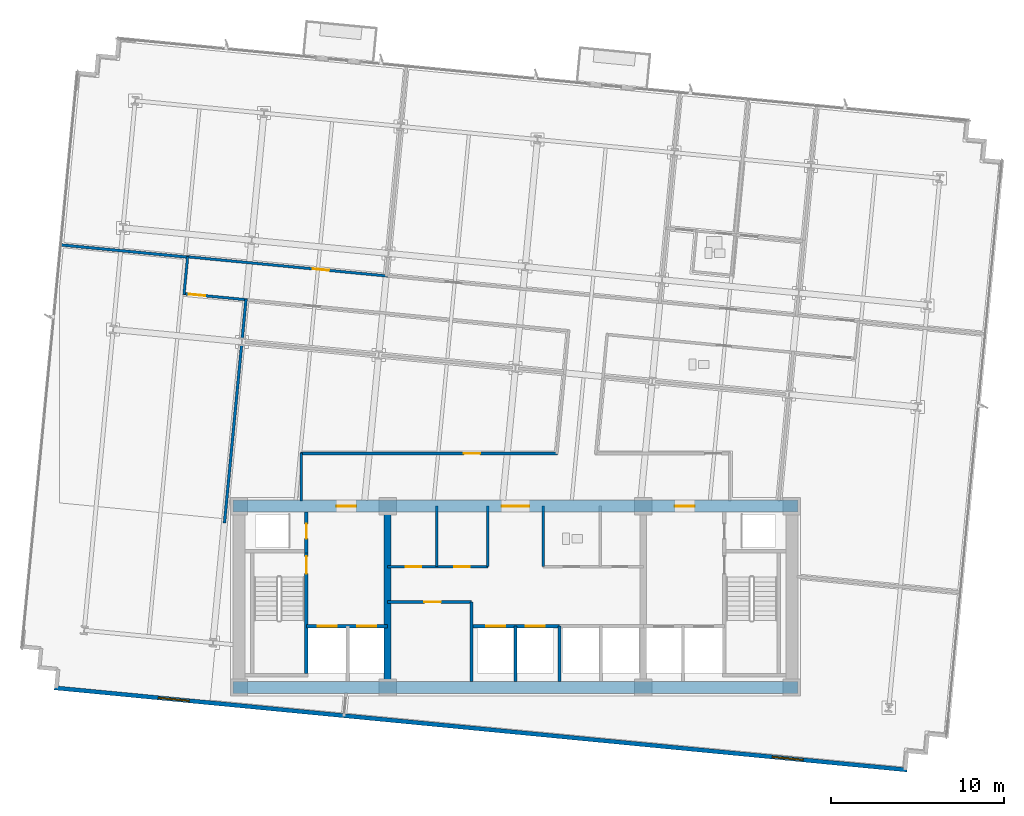
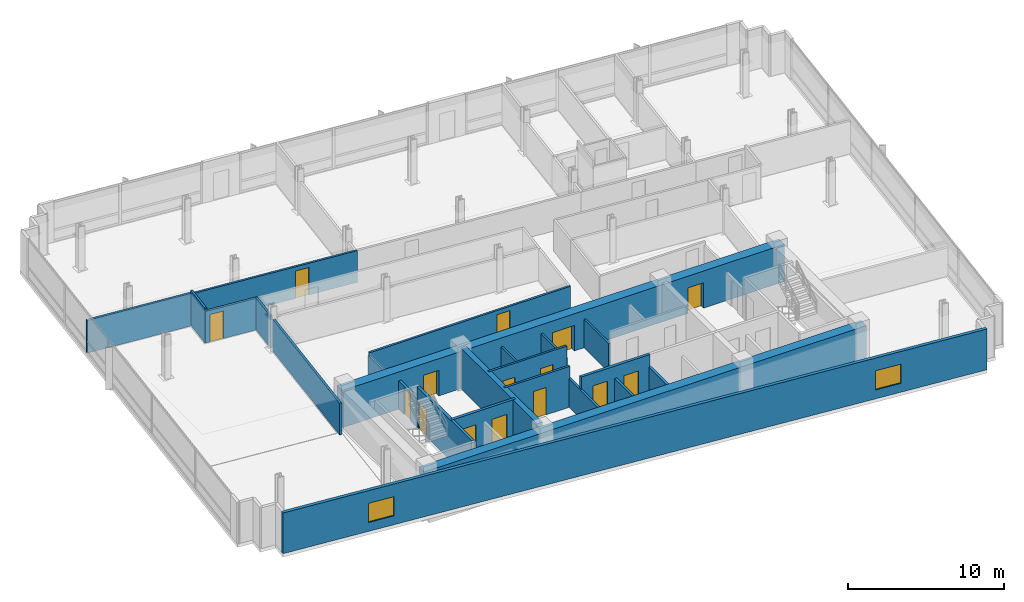
# One storey, part 10 of 16: 24 walls, 15 doors, 2 windows, 17 openings.
"""IFC4 building model written with IfcOpenShell, lengths in metres."""

from ifc_helpers import new_model, si_unit, direction, frame, frame_2d, origin, place, context, subcontext, project, spatial, rectangle, extrude, material, layer, layer_set, type_object, element, fill, save


model = new_model("IFC4")

# Units and contexts
model_context = context("Model", 3, precision=1e-05, world=origin(), true_north=direction((0.0, 1.0)))
body_context = subcontext(model_context, "Body", "Model", "MODEL_VIEW")
ifc_project = project(units=[si_unit("LENGTHUNIT", "METRE"), si_unit("AREAUNIT", "SQUARE_METRE"), si_unit("VOLUMEUNIT", "CUBIC_METRE"), si_unit("PLANEANGLEUNIT", "RADIAN"), si_unit("MASSUNIT", "GRAM", prefix="KILO")], contexts=[model_context])

# Site, building, storey
site_placement = place(None, origin())
site = spatial("IfcSite", under=ifc_project, at=site_placement, CompositionType="ELEMENT")
building_placement = place(site_placement, origin())
building = spatial("IfcBuilding", under=site, at=building_placement, Name="Solmavex Isthmus Hotel", CompositionType="ELEMENT")
storey_placement = place(building_placement, frame((0.0, 0.0, 160.050048828125)))
storey = spatial("IfcBuildingStorey", under=building, at=storey_placement, Name="L43", CompositionType="ELEMENT", Elevation=160.050048828125)

# Wall, openings, windows
ifc_material_1 = material(Name="Precast Concrete C40/50", Category="concrete")
ifc_layer_1 = layer(ifc_material_1, 0.25)
ifc_layer_set_1 = layer_set([ifc_layer_1], Name="Precast Concrete C40/50")
wall_type_1 = type_object("IfcWallType", Name="EW-TWR-250", PredefinedType="STANDARD", material=ifc_layer_set_1)
wall_1_placement = place(storey_placement, frame((-26.6953125, -13.01611328125, 0.0), z_axis=(0.0, 0.0, 1.0), x_axis=(0.995396268366, -0.095845025554, 0.0)))
wall_1 = element("IfcWall", 1, at=wall_1_placement, inside=storey, type_object=wall_type_1, Name="Tower Rear South Facade Wall L43", PredefinedType="STANDARD", context=body_context, shape_type="SweptSolid", body=[
    extrude(rectangle(XDim=49.599853515625, YDim=0.239990234375, at=frame_2d((24.7998046875, 0.0))), origin(), (0.0, 0.0, 1.0), 3.18994140625),
])
opening_1_placement = place(wall_1_placement, frame((6.0439453125, 0.0, 0.699951171875)))
opening_1 = element("IfcOpeningElement", 2, at=opening_1_placement, cuts=wall_1, Name="Opening WN-02", PredefinedType="OPENING", context=body_context, shape_type="SweptSolid", body=[
    extrude(rectangle(XDim=1.800048828125, YDim=1.5, at=frame_2d((0.89990234375, 0.75))), frame((0.0, 0.1298828125, 0.0), z_axis=(0.0, -1.0, 0.0), x_axis=(1.0, 0.0, 0.0)), (0.0, 0.0, 1.0), 0.260009765625),
])
opening_2_placement = place(wall_1_placement, frame((41.756103515625, 0.0, 0.699951171875)))
opening_2 = element("IfcOpeningElement", 3, at=opening_2_placement, cuts=wall_1, Name="Opening WN-02", PredefinedType="OPENING", context=body_context, shape_type="SweptSolid", body=[
    extrude(rectangle(XDim=1.800048828125, YDim=1.5, at=frame_2d((0.89990234375, 0.75))), frame((0.0, 0.1298828125, 0.0), z_axis=(0.0, -1.0, 0.0), x_axis=(1.0, 0.0, 0.0)), (0.0, 0.0, 1.0), 0.260009765625),
])
ifc_material_2 = material(Name="Clear low-E laminated glass", Category="glass")
window_type = type_object("IfcWindowType", Name="WIN-TWR-1800", PartitioningType="SINGLE_PANEL", PredefinedType="WINDOW", material=ifc_material_2)
window_1_placement = place(opening_1_placement, origin())
window_1 = element("IfcWindow", 4, at=window_1_placement, inside=storey, type_object=window_type, Name="South Facade Vision Window L43-S1", OverallHeight=1.5, OverallWidth=1.800048828125, PartitioningType="SINGLE_PANEL", PredefinedType="WINDOW", context=body_context, shape_type="SweptSolid", body=[
    extrude(rectangle(XDim=1.800048828125, YDim=1.5, at=frame_2d((0.89990234375, 0.75))), frame((0.0, 0.030029296875, 0.0), z_axis=(0.0, -1.0, 0.0), x_axis=(1.0, 0.0, 0.0)), (0.0, 0.0, 1.0), 0.06005859375),
])
fill(opening_1, window_1)
window_2_placement = place(opening_2_placement, origin())
window_2 = element("IfcWindow", 5, at=window_2_placement, inside=storey, type_object=window_type, Name="South Facade Vision Window L43-S2", OverallHeight=1.5, OverallWidth=1.800048828125, PartitioningType="SINGLE_PANEL", PredefinedType="WINDOW", context=body_context, shape_type="SweptSolid", body=[
    extrude(rectangle(XDim=1.800048828125, YDim=1.5, at=frame_2d((0.89990234375, 0.75))), frame((0.0, 0.030029296875, 0.0), z_axis=(0.0, -1.0, 0.0), x_axis=(1.0, 0.0, 0.0)), (0.0, 0.0, 1.0), 0.06005859375),
])
fill(opening_2, window_2)

# Wall, opening, door
ifc_material_3 = material(Name="Gypsum plasterboard lining", Category="gypsum")
ifc_layer_2 = layer(ifc_material_3, 0.159912109375)
ifc_layer_set_2 = layer_set([ifc_layer_2], Name="Gypsum plasterboard lining")
wall_type_2 = type_object("IfcWallType", Name="IW-COMP-160", PredefinedType="PARTITIONING", material=ifc_layer_set_2)
wall_2_placement = place(storey_placement, frame((-7.39990234375, -8.050048828125, 0.0), z_axis=(0.0, 0.0, 1.0), x_axis=(1.0, 0.0, 0.0)))
wall_2 = element("IfcWall", 6, at=wall_2_placement, inside=storey, type_object=wall_type_2, Name="Interior Partition Wall W-L43-REC-PLL-N", PredefinedType="PARTITIONING", context=body_context, shape_type="SweptSolid", body=[
    extrude(rectangle(XDim=4.849853515625, YDim=0.159912109375, at=frame_2d((2.4248046875, 0.0))), origin(), (0.0, 0.0, 1.0), 3.18994140625),
])
opening_3_placement = place(wall_2_placement, frame((2.125, 0.0, 0.0)))
opening_3 = element("IfcOpeningElement", 7, at=opening_3_placement, cuts=wall_2, Name="Opening ID-C095", PredefinedType="OPENING", context=body_context, shape_type="SweptSolid", body=[
    extrude(rectangle(XDim=0.949951171875, YDim=2.14990234375, at=frame_2d((0.47509765625, 1.074951171875))), frame((0.0, 0.08984375, 0.0), z_axis=(0.0, -1.0, 0.0), x_axis=(1.0, 0.0, 0.0)), (0.0, 0.0, 1.0), 0.179931640625),
])
ifc_material_4 = material(Name="Hardwood timber", Category="wood")
door_type_1 = type_object("IfcDoorType", Name="IDR-FD60-0950", OperationType="NOTDEFINED", PredefinedType="DOOR", material=ifc_material_4)
door_1_placement = place(opening_3_placement, origin())
door_1 = element("IfcDoor", 8, at=door_1_placement, inside=storey, type_object=door_type_1, Name="Linen Reserve Door L43", OperationType="SINGLE_SWING_LEFT", OverallHeight=2.14990234375, OverallWidth=0.949951171875, PredefinedType="DOOR", context=body_context, shape_type="SweptSolid", body=[
    extrude(rectangle(XDim=0.949951171875, YDim=2.14990234375, at=frame_2d((0.47509765625, 1.074951171875))), frame((0.0, 0.02490234375, 0.0), z_axis=(0.0, -1.0, 0.0), x_axis=(1.0, 0.0, 0.0)), (0.0, 0.0, 1.0), 0.050048828125),
])
fill(opening_3, door_1)

# Walls
wall_3_placement = place(storey_placement, frame((-2.550048828125, -12.64990234375, 0.0), z_axis=(0.0, 0.0, 1.0), x_axis=(0.0, 1.0, 0.0)))
element("IfcWall", 9, at=wall_3_placement, inside=storey, type_object=wall_type_2, Name="Interior Partition Wall W-L43-REC-PLL-E", PredefinedType="PARTITIONING", context=body_context, shape_type="SweptSolid", body=[
    extrude(rectangle(XDim=4.599853515625, YDim=0.159912109375, at=frame_2d((2.2998046875, 0.0))), origin(), (0.0, 0.0, 1.0), 2.224853515625),
])
wall_4_placement = place(storey_placement, frame((-18.942138671875, 11.91552734375, 0.0), z_axis=(0.0, 0.0, 1.0), x_axis=(-0.995395927026, 0.095848570461, 0.0)))
element("IfcWall", 10, at=wall_4_placement, inside=storey, type_object=wall_type_2, Name="Interior Partition Wall W-L43-P022", PredefinedType="PARTITIONING", context=body_context, shape_type="SweptSolid", body=[
    extrude(rectangle(XDim=7.44775390625, YDim=0.159912109375, at=frame_2d((3.723876953125, 0.0))), origin(), (0.0, 0.0, 1.0), 2.557373046875),
])
wall_5_placement = place(storey_placement, frame((-15.820556640625, 7.190673828125, 0.0), z_axis=(0.0, 0.0, 1.0), x_axis=(0.09580488871, 0.995400132258, 0.0)))
element("IfcWall", 11, at=wall_5_placement, inside=storey, type_object=wall_type_2, Name="Interior Partition Wall W-L43-P045", PredefinedType="PARTITIONING", context=body_context, shape_type="SweptSolid", body=[
    extrude(rectangle(XDim=2.31396484375, YDim=0.159912109375, at=frame_2d((1.156982421875, 0.0))), origin(), (0.0, 0.0, 1.0), 2.4794921875),
])
wall_6_placement = place(storey_placement, frame((-16.846923828125, -3.468017578125, 0.0), z_axis=(0.0, 0.0, 1.0), x_axis=(0.095854804219, 0.995395326746, 0.0)))
element("IfcWall", 12, at=wall_6_placement, inside=storey, type_object=wall_type_2, Name="Interior Partition Wall W-L43-P047", PredefinedType="PARTITIONING", context=body_context, shape_type="SweptSolid", body=[
    extrude(rectangle(XDim=10.35595703125, YDim=0.159912109375, at=frame_2d((5.177978515625, 0.0))), origin(), (0.0, 0.0, 1.0), 2.4794921875),
])

# Wall, openings, doors
ifc_layer_3 = layer(ifc_material_3, 0.14990234375)
ifc_layer_set_3 = layer_set([ifc_layer_3], Name="Gypsum plasterboard lining")
wall_type_3 = type_object("IfcWallType", Name="IW-CORR-150", PredefinedType="PARTITIONING", material=ifc_layer_set_3)
wall_7_placement = place(storey_placement, frame((-7.39990234375, -6.0, 0.0), z_axis=(0.0, 0.0, 1.0), x_axis=(1.0, 0.0, 0.0)))
wall_7 = element("IfcWall", 13, at=wall_7_placement, inside=storey, type_object=wall_type_3, Name="Interior Partition Wall W-L43-BOH-WS", PredefinedType="PARTITIONING", context=body_context, shape_type="SweptSolid", body=[
    extrude(rectangle(XDim=5.7998046875, YDim=0.14990234375, at=frame_2d((2.89990234375, 0.0))), origin(), (0.0, 0.0, 1.0), 3.18994140625),
])
opening_4_placement = place(wall_7_placement, frame((1.050048828125, 0.0, 0.0)))
opening_4 = element("IfcOpeningElement", 14, at=opening_4_placement, cuts=wall_7, Name="Opening ID-C090", PredefinedType="OPENING", context=body_context, shape_type="SweptSolid", body=[
    extrude(rectangle(XDim=0.89990234375, YDim=2.10009765625, at=frame_2d((0.449951171875, 1.050048828125))), frame((0.0, 0.0849609375, 0.0), z_axis=(0.0, -1.0, 0.0), x_axis=(1.0, 0.0, 0.0)), (0.0, 0.0, 1.0), 0.169921875),
])
opening_5_placement = place(wall_7_placement, frame((3.85009765625, 0.0, 0.0)))
opening_5 = element("IfcOpeningElement", 15, at=opening_5_placement, cuts=wall_7, Name="Opening ID-C090", PredefinedType="OPENING", context=body_context, shape_type="SweptSolid", body=[
    extrude(rectangle(XDim=0.89990234375, YDim=2.10009765625, at=frame_2d((0.449951171875, 1.050048828125))), frame((0.0, 0.0849609375, 0.0), z_axis=(0.0, -1.0, 0.0), x_axis=(1.0, 0.0, 0.0)), (0.0, 0.0, 1.0), 0.169921875),
])
door_type_2 = type_object("IfcDoorType", Name="IDR-FD60-0900", OperationType="NOTDEFINED", PredefinedType="DOOR", material=ifc_material_4)
door_2_placement = place(opening_4_placement, frame((0.89990234375, 0.0, 0.0), z_axis=(0.0, 0.0, 1.0), x_axis=(-1.0, 0.0, 0.0)))
door_2 = element("IfcDoor", 16, at=door_2_placement, inside=storey, type_object=door_type_2, Name="Linen Room Door L43", OperationType="SINGLE_SWING_LEFT", OverallHeight=2.10009765625, OverallWidth=0.89990234375, PredefinedType="DOOR", context=body_context, shape_type="SweptSolid", body=[
    extrude(rectangle(XDim=0.89990234375, YDim=2.10009765625, at=frame_2d((0.449951171875, 1.050048828125))), frame((0.0, 0.02490234375, 0.0), z_axis=(0.0, -1.0, 0.0), x_axis=(1.0, 0.0, 0.0)), (0.0, 0.0, 1.0), 0.050048828125),
])
fill(opening_4, door_2)
door_3_placement = place(opening_5_placement, frame((0.89990234375, 0.0, 0.0), z_axis=(0.0, 0.0, 1.0), x_axis=(-1.0, 0.0, 0.0)))
door_3 = element("IfcDoor", 17, at=door_3_placement, inside=storey, type_object=door_type_2, Name="Ice Pantry Door L43", OperationType="SINGLE_SWING_RIGHT", OverallHeight=2.10009765625, OverallWidth=0.89990234375, PredefinedType="DOOR", context=body_context, shape_type="SweptSolid", body=[
    extrude(rectangle(XDim=0.89990234375, YDim=2.10009765625, at=frame_2d((0.449951171875, 1.050048828125))), frame((0.0, 0.02490234375, 0.0), z_axis=(0.0, -1.0, 0.0), x_axis=(1.0, 0.0, 0.0)), (0.0, 0.0, 1.0), 0.050048828125),
])
fill(opening_5, door_3)

# Walls
for number, where, z_axis, x_axis, name in (
    (18, (-1.60009765625, -6.0, 0.0), (0.0, 0.0, 1.0), (0.0, 1.0, 0.0), "Interior Partition Wall W-L43-BOH-WE"),
    (19, (1.60009765625, -6.0, 0.0), (0.0, 0.0, 1.0), (0.0, 1.0, 0.0), "Interior Partition Wall W-L43-BOH-EW"),
):
    element("IfcWall", number, at=place(storey_placement, frame(where, z_axis=z_axis, x_axis=x_axis)), inside=storey, type_object=wall_type_3, Name=name, PredefinedType="PARTITIONING", context=body_context, shape_type="SweptSolid", body=[
        extrude(rectangle(XDim=3.5, YDim=0.14990234375, at=frame_2d((1.75, 0.0))), origin(), (0.0, 0.0, 1.0), 2.224853515625),
    ])

# Wall, opening, door
wall_8_placement = place(storey_placement, frame((-19.019775390625, 11.943115234375, 0.0), z_axis=(0.0, 0.0, 1.0), x_axis=(0.995395421372, -0.095853821582, 0.0)))
wall_8 = element("IfcWall", 20, at=wall_8_placement, inside=storey, type_object=wall_type_3, Name="Interior Partition Wall W-L43-P001", PredefinedType="PARTITIONING", context=body_context, shape_type="SweptSolid", body=[
    extrude(rectangle(XDim=11.677978515625, YDim=0.14990234375, at=frame_2d((5.8388671875, 0.0))), origin(), (0.0, 0.0, 1.0), 2.4794921875),
])
opening_6_placement = place(wall_8_placement, frame((7.3125, 0.0, 0.0)))
opening_6 = element("IfcOpeningElement", 21, at=opening_6_placement, cuts=wall_8, Name="Opening ID-C095", PredefinedType="OPENING", context=body_context, shape_type="SweptSolid", body=[
    extrude(rectangle(XDim=0.949951171875, YDim=2.14990234375, at=frame_2d((0.47509765625, 1.074951171875))), frame((0.0, 0.0849609375, 0.0), z_axis=(0.0, -1.0, 0.0), x_axis=(1.0, 0.0, 0.0)), (0.0, 0.0, 1.0), 0.169921875),
])
door_4_placement = place(opening_6_placement, frame((0.949951171875, 0.0, 0.0), z_axis=(0.0, 0.0, 1.0), x_axis=(-1.0, 0.0, 0.0)))
door_4 = element("IfcDoor", 22, at=door_4_placement, inside=storey, type_object=door_type_1, Name="Corporate Briefing Office Door L43-01", OperationType="SINGLE_SWING_LEFT", OverallHeight=2.14990234375, OverallWidth=0.949951171875, PredefinedType="DOOR", context=body_context, shape_type="SweptSolid", body=[
    extrude(rectangle(XDim=0.949951171875, YDim=2.14990234375, at=frame_2d((0.47509765625, 1.074951171875))), frame((0.0, 0.02490234375, 0.0), z_axis=(0.0, -1.0, 0.0), x_axis=(1.0, 0.0, 0.0)), (0.0, 0.0, 1.0), 0.050048828125),
])
fill(opening_6, door_4)

# Wall
wall_9_placement = place(storey_placement, frame((-12.39990234375, -2.18994140625, 0.0), z_axis=(0.0, 0.0, 1.0), x_axis=(0.0, 1.0, 0.0)))
element("IfcWall", 23, at=wall_9_placement, inside=storey, type_object=wall_type_3, Name="Interior Partition Wall W-L43-P012", PredefinedType="PARTITIONING", context=body_context, shape_type="SweptSolid", body=[
    extrude(rectangle(XDim=2.780029296875, YDim=0.14990234375, at=frame_2d((1.39013671875, 0.0))), origin(), (0.0, 0.0, 1.0), 2.224853515625),
])

# Wall, opening, door
wall_10_placement = place(storey_placement, frame((-12.43994140625, 0.550048828125, 0.0), z_axis=(0.0, 0.0, 1.0), x_axis=(1.0, 0.0, 0.0)))
wall_10 = element("IfcWall", 24, at=wall_10_placement, inside=storey, type_object=wall_type_3, Name="Interior Partition Wall W-L43-P013", PredefinedType="PARTITIONING", context=body_context, shape_type="SweptSolid", body=[
    extrude(rectangle(XDim=14.876708984375, YDim=0.14990234375, at=frame_2d((7.4384765625, 0.0))), origin(), (0.0, 0.0, 1.0), 2.4794921875),
])
opening_7_placement = place(wall_10_placement, frame((9.44921875, 0.0, 0.0)))
opening_7 = element("IfcOpeningElement", 25, at=opening_7_placement, cuts=wall_10, Name="Opening ID-C095", PredefinedType="OPENING", context=body_context, shape_type="SweptSolid", body=[
    extrude(rectangle(XDim=0.949951171875, YDim=2.14990234375, at=frame_2d((0.47509765625, 1.074951171875))), frame((0.0, 0.0849609375, 0.0), z_axis=(0.0, -1.0, 0.0), x_axis=(1.0, 0.0, 0.0)), (0.0, 0.0, 1.0), 0.169921875),
])
door_5_placement = place(opening_7_placement, frame((0.949951171875, 0.0, 0.0), z_axis=(0.0, 0.0, 1.0), x_axis=(-1.0, 0.0, 0.0)))
door_5 = element("IfcDoor", 26, at=door_5_placement, inside=storey, type_object=door_type_1, Name="Private Dining Room Door L43-11", OperationType="SINGLE_SWING_LEFT", OverallHeight=2.14990234375, OverallWidth=0.949951171875, PredefinedType="DOOR", context=body_context, shape_type="SweptSolid", body=[
    extrude(rectangle(XDim=0.949951171875, YDim=2.14990234375, at=frame_2d((0.47509765625, 1.074951171875))), frame((0.0, 0.02490234375, 0.0), z_axis=(0.0, -1.0, 0.0), x_axis=(1.0, 0.0, 0.0)), (0.0, 0.0, 1.0), 0.050048828125),
])
fill(opening_7, door_5)

wall_11_placement = place(storey_placement, frame((-15.52099609375, 9.4462890625, 0.0), z_axis=(0.0, 0.0, 1.0), x_axis=(-0.995397364202, 0.095833644092, 0.0)))
wall_11 = element("IfcWall", 27, at=wall_11_placement, inside=storey, type_object=wall_type_3, Name="Interior Partition Wall W-L43-P017", PredefinedType="PARTITIONING", context=body_context, shape_type="SweptSolid", body=[
    extrude(rectangle(XDim=3.721923828125, YDim=0.14990234375, at=frame_2d((1.86083984375, 0.0))), origin(), (0.0, 0.0, 1.0), 2.4794921875),
])
opening_8_placement = place(wall_11_placement, frame((2.456787109375, 0.0, 0.0)))
opening_8 = element("IfcOpeningElement", 28, at=opening_8_placement, cuts=wall_11, Name="Opening ID-C095", PredefinedType="OPENING", context=body_context, shape_type="SweptSolid", body=[
    extrude(rectangle(XDim=0.949951171875, YDim=2.14990234375, at=frame_2d((0.47509765625, 1.074951171875))), frame((0.0, 0.0849609375, 0.0), z_axis=(0.0, -1.0, 0.0), x_axis=(1.0, 0.0, 0.0)), (0.0, 0.0, 1.0), 0.169921875),
])
door_6_placement = place(opening_8_placement, frame((0.949951171875, 0.0, 0.0), z_axis=(0.0, 0.0, 1.0), x_axis=(-1.0, 0.0, 0.0)))
door_6 = element("IfcDoor", 29, at=door_6_placement, inside=storey, type_object=door_type_1, Name="Corporate Briefing Office Door L43-13", OperationType="SINGLE_SWING_LEFT", OverallHeight=2.14990234375, OverallWidth=0.949951171875, PredefinedType="DOOR", context=body_context, shape_type="SweptSolid", body=[
    extrude(rectangle(XDim=0.949951171875, YDim=2.14990234375, at=frame_2d((0.47509765625, 1.074951171875))), frame((0.0, 0.02490234375, 0.0), z_axis=(0.0, -1.0, 0.0), x_axis=(1.0, 0.0, 0.0)), (0.0, 0.0, 1.0), 0.050048828125),
])
fill(opening_8, door_6)

# Walls
wall_12_placement = place(storey_placement, frame((-19.18994140625, 9.75927734375, 0.0), z_axis=(0.0, 0.0, 1.0), x_axis=(0.095882898123, 0.995392620953, 0.0)))
element("IfcWall", 30, at=wall_12_placement, inside=storey, type_object=wall_type_3, Name="Interior Partition Wall W-L43-P018", PredefinedType="PARTITIONING", context=body_context, shape_type="SweptSolid", body=[
    extrude(rectangle(XDim=2.210205078125, YDim=0.14990234375, at=frame_2d((1.10498046875, 0.0))), origin(), (0.0, 0.0, 1.0), 2.718017578125),
])
ifc_layer_4 = layer(ifc_material_3, 0.1201171875)
ifc_layer_set_4 = layer_set([ifc_layer_4], Name="Gypsum plasterboard lining")
wall_type_4 = type_object("IfcWallType", Name="IW-PART-120", PredefinedType="PARTITIONING", material=ifc_layer_set_4)
wall_13_placement = place(storey_placement, frame((-4.550048828125, -6.0, 0.0), z_axis=(0.0, 0.0, 1.0), x_axis=(0.0, 1.0, 0.0)))
element("IfcWall", 31, at=wall_13_placement, inside=storey, type_object=wall_type_4, Name="Interior Partition Wall W-L43-BOH-WM2", PredefinedType="PARTITIONING", context=body_context, shape_type="SweptSolid", body=[
    extrude(rectangle(XDim=3.5, YDim=0.14990234375, at=frame_2d((1.75, 0.0))), origin(), (0.0, 0.0, 1.0), 2.224853515625),
])
ifc_material_5 = material(Name="Concrete C40/50", Category="concrete")
ifc_layer_5 = layer(ifc_material_5, 0.179931640625)
ifc_layer_set_5 = layer_set([ifc_layer_5], Name="Concrete C40/50")
wall_type_5 = type_object("IfcWallType", Name="IW-SHAFT-180", PredefinedType="PARTITIONING", material=ifc_layer_set_5)
wall_14_placement = place(storey_placement, frame((0.0, -12.64990234375, 0.0), z_axis=(0.0, 0.0, 1.0), x_axis=(0.0, 1.0, 0.0)))
element("IfcWall", 32, at=wall_14_placement, inside=storey, type_object=wall_type_5, Name="Interior Partition Wall W-L43-SH-PLM-M", PredefinedType="PARTITIONING", context=body_context, shape_type="SweptSolid", body=[
    extrude(rectangle(XDim=3.199951171875, YDim=0.179931640625, at=frame_2d((1.60009765625, 0.0))), origin(), (0.0, 0.0, 1.0), 2.224853515625),
])

# Wall, opening, door
ifc_layer_6 = layer(ifc_material_5, 0.199951171875)
ifc_layer_set_6 = layer_set([ifc_layer_6], Name="Concrete C40/50")
wall_type_6 = type_object("IfcWallType", Name="IW-SHAFT-200", PredefinedType="PARTITIONING", material=ifc_layer_set_6)
wall_15_placement = place(storey_placement, frame((-12.10009765625, -5.199951171875, 0.0), z_axis=(0.0, 0.0, 1.0), x_axis=(0.0, 1.0, 0.0)))
wall_15 = element("IfcWall", 33, at=wall_15_placement, inside=storey, type_object=wall_type_6, Name="Interior Partition Wall W-L43-RSW-E", PredefinedType="PARTITIONING", context=body_context, shape_type="SweptSolid", body=[
    extrude(rectangle(XDim=2.349853515625, YDim=0.199951171875, at=frame_2d((1.1748046875, 0.0))), origin(), (0.0, 0.0, 1.0), 2.224853515625),
])
opening_9_placement = place(wall_15_placement, frame((0.824951171875, 0.0, 0.0)))
opening_9 = element("IfcOpeningElement", 34, at=opening_9_placement, cuts=wall_15, Name="Opening ID-R085", PredefinedType="OPENING", context=body_context, shape_type="SweptSolid", body=[
    extrude(rectangle(XDim=0.85009765625, YDim=2.050048828125, at=frame_2d((0.425048828125, 1.02490234375))), frame((0.0, 0.10986328125, 0.0), z_axis=(0.0, -1.0, 0.0), x_axis=(1.0, 0.0, 0.0)), (0.0, 0.0, 1.0), 0.219970703125),
])
ifc_material_6 = material(Name="Steel ASTM A500 Grade C", Category="steel")
door_type_3 = type_object("IfcDoorType", Name="IDR-FD60-0850", OperationType="NOTDEFINED", PredefinedType="DOOR", material=ifc_material_6)
door_7_placement = place(opening_9_placement, origin())
door_7 = element("IfcDoor", 35, at=door_7_placement, inside=storey, type_object=door_type_3, Name="Electrical Riser Door L43", OperationType="SINGLE_SWING_RIGHT", OverallHeight=2.050048828125, OverallWidth=0.85009765625, PredefinedType="DOOR", context=body_context, shape_type="SweptSolid", body=[
    extrude(rectangle(XDim=0.85009765625, YDim=2.050048828125, at=frame_2d((0.425048828125, 1.02490234375))), frame((0.0, 0.02490234375, 0.0), z_axis=(0.0, -1.0, 0.0), x_axis=(1.0, 0.0, 0.0)), (0.0, 0.0, 1.0), 0.050048828125),
])
fill(opening_9, door_7)

# Wall, openings, doors
wall_16_placement = place(storey_placement, frame((-12.10009765625, -9.449951171875, 0.0), z_axis=(0.0, 0.0, 1.0), x_axis=(1.0, 0.0, 0.0)))
wall_16 = element("IfcWall", 36, at=wall_16_placement, inside=storey, type_object=wall_type_6, Name="Interior Partition Wall W-L43-FFLW-S", PredefinedType="PARTITIONING", context=body_context, shape_type="SweptSolid", body=[
    extrude(rectangle(XDim=4.7001953125, YDim=0.199951171875, at=frame_2d((2.35009765625, 0.0))), origin(), (0.0, 0.0, 1.0), 3.18994140625),
])
opening_10_placement = place(wall_16_placement, frame((0.64990234375, 0.0, 0.0)))
opening_10 = element("IfcOpeningElement", 37, at=opening_10_placement, cuts=wall_16, Name="Opening LD-FF", PredefinedType="OPENING", context=body_context, shape_type="SweptSolid", body=[
    extrude(rectangle(XDim=1.10009765625, YDim=2.199951171875, at=frame_2d((0.550048828125, 1.10009765625))), frame((0.0, 0.10986328125, 0.0), z_axis=(0.0, -1.0, 0.0), x_axis=(1.0, 0.0, 0.0)), (0.0, 0.0, 1.0), 0.219970703125),
])
opening_11_placement = place(wall_16_placement, frame((2.949951171875, 0.0, 0.0)))
opening_11 = element("IfcOpeningElement", 38, at=opening_11_placement, cuts=wall_16, Name="Opening LD-SV", PredefinedType="OPENING", context=body_context, shape_type="SweptSolid", body=[
    extrude(rectangle(XDim=1.10009765625, YDim=2.199951171875, at=frame_2d((0.550048828125, 1.10009765625))), frame((0.0, 0.10986328125, 0.0), z_axis=(0.0, -1.0, 0.0), x_axis=(1.0, 0.0, 0.0)), (0.0, 0.0, 1.0), 0.219970703125),
])
ifc_material_7 = material(Name="Stainless steel 316", Category="steel")
door_type_4 = type_object("IfcDoorType", Name="LDR-FF-1100", OperationType="NOTDEFINED", PredefinedType="DOOR", material=ifc_material_7)
door_8_placement = place(opening_10_placement, origin())
door_8 = element("IfcDoor", 39, at=door_8_placement, inside=storey, type_object=door_type_4, Name="Lift Landing Door FFL-1 L43", OperationType="SLIDING_TO_LEFT", OverallHeight=2.199951171875, OverallWidth=1.10009765625, PredefinedType="DOOR", context=body_context, shape_type="SweptSolid", body=[
    extrude(rectangle(XDim=1.10009765625, YDim=2.199951171875, at=frame_2d((0.550048828125, 1.10009765625))), frame((0.0, 0.02490234375, 0.0), z_axis=(0.0, -1.0, 0.0), x_axis=(1.0, 0.0, 0.0)), (0.0, 0.0, 1.0), 0.050048828125),
])
fill(opening_10, door_8)
door_type_5 = type_object("IfcDoorType", Name="LDR-SV-1100", OperationType="NOTDEFINED", PredefinedType="DOOR", material=ifc_material_7)
door_9_placement = place(opening_11_placement, origin())
door_9 = element("IfcDoor", 40, at=door_9_placement, inside=storey, type_object=door_type_5, Name="Lift Landing Door SVL-1 L43", OperationType="SLIDING_TO_RIGHT", OverallHeight=2.199951171875, OverallWidth=1.10009765625, PredefinedType="DOOR", context=body_context, shape_type="SweptSolid", body=[
    extrude(rectangle(XDim=1.10009765625, YDim=2.199951171875, at=frame_2d((0.550048828125, 1.10009765625))), frame((0.0, 0.02490234375, 0.0), z_axis=(0.0, -1.0, 0.0), x_axis=(1.0, 0.0, 0.0)), (0.0, 0.0, 1.0), 0.050048828125),
])
fill(opening_11, door_9)

wall_17_placement = place(storey_placement, frame((-2.550048828125, -9.449951171875, 0.0), z_axis=(0.0, 0.0, 1.0), x_axis=(1.0, 0.0, 0.0)))
wall_17 = element("IfcWall", 41, at=wall_17_placement, inside=storey, type_object=wall_type_6, Name="Interior Partition Wall W-L43-SH-PLM", PredefinedType="PARTITIONING", context=body_context, shape_type="SweptSolid", body=[
    extrude(rectangle(XDim=5.10009765625, YDim=0.199951171875, at=frame_2d((2.550048828125, 0.0))), origin(), (0.0, 0.0, 1.0), 3.18994140625),
])
opening_12_placement = place(wall_17_placement, frame((0.85009765625, 0.0, 0.0)))
opening_12 = element("IfcOpeningElement", 42, at=opening_12_placement, cuts=wall_17, Name="Opening LD-PL", PredefinedType="OPENING", context=body_context, shape_type="SweptSolid", body=[
    extrude(rectangle(XDim=1.10009765625, YDim=2.199951171875, at=frame_2d((0.550048828125, 1.10009765625))), frame((0.0, 0.10986328125, 0.0), z_axis=(0.0, -1.0, 0.0), x_axis=(1.0, 0.0, 0.0)), (0.0, 0.0, 1.0), 0.219970703125),
])
opening_13_placement = place(wall_17_placement, frame((3.14990234375, 0.0, 0.0)))
opening_13 = element("IfcOpeningElement", 43, at=opening_13_placement, cuts=wall_17, Name="Opening LD-PL", PredefinedType="OPENING", context=body_context, shape_type="SweptSolid", body=[
    extrude(rectangle(XDim=1.10009765625, YDim=2.199951171875, at=frame_2d((0.550048828125, 1.10009765625))), frame((0.0, 0.10986328125, 0.0), z_axis=(0.0, -1.0, 0.0), x_axis=(1.0, 0.0, 0.0)), (0.0, 0.0, 1.0), 0.219970703125),
])
door_type_6 = type_object("IfcDoorType", Name="LDR-PL-1100", OperationType="NOTDEFINED", PredefinedType="DOOR", material=ifc_material_7)
door_10_placement = place(opening_12_placement, origin())
door_10 = element("IfcDoor", 44, at=door_10_placement, inside=storey, type_object=door_type_6, Name="Lift Landing Door PLM1 L43", OperationType="SLIDING_TO_RIGHT", OverallHeight=2.199951171875, OverallWidth=1.10009765625, PredefinedType="DOOR", context=body_context, shape_type="SweptSolid", body=[
    extrude(rectangle(XDim=1.10009765625, YDim=2.199951171875, at=frame_2d((0.550048828125, 1.10009765625))), frame((0.0, 0.02490234375, 0.0), z_axis=(0.0, -1.0, 0.0), x_axis=(1.0, 0.0, 0.0)), (0.0, 0.0, 1.0), 0.050048828125),
])
fill(opening_12, door_10)
door_11_placement = place(opening_13_placement, origin())
door_11 = element("IfcDoor", 45, at=door_11_placement, inside=storey, type_object=door_type_6, Name="Lift Landing Door PLM2 L43", OperationType="SLIDING_TO_RIGHT", OverallHeight=2.199951171875, OverallWidth=1.10009765625, PredefinedType="DOOR", context=body_context, shape_type="SweptSolid", body=[
    extrude(rectangle(XDim=1.10009765625, YDim=2.199951171875, at=frame_2d((0.550048828125, 1.10009765625))), frame((0.0, 0.02490234375, 0.0), z_axis=(0.0, -1.0, 0.0), x_axis=(1.0, 0.0, 0.0)), (0.0, 0.0, 1.0), 0.050048828125),
])
fill(opening_13, door_11)

# Walls
wall_18_placement = place(storey_placement, frame((2.550048828125, -12.64990234375, 0.0), z_axis=(0.0, 0.0, 1.0), x_axis=(0.0, 1.0, 0.0)))
element("IfcWall", 46, at=wall_18_placement, inside=storey, type_object=wall_type_6, Name="Interior Partition Wall W-L43-SH-PLM-E", PredefinedType="PARTITIONING", context=body_context, shape_type="SweptSolid", body=[
    extrude(rectangle(XDim=3.199951171875, YDim=0.199951171875, at=frame_2d((1.60009765625, 0.0))), origin(), (0.0, 0.0, 1.0), 2.224853515625),
])
ifc_material_8 = material(Name="Concrete C60/75", Category="concrete")
ifc_layer_7 = layer(ifc_material_8, 0.39990234375)
ifc_layer_set_7 = layer_set([ifc_layer_7], Name="Concrete C60/75")
wall_type_7 = type_object("IfcWallType", Name="WALL-CW-400M", PredefinedType="SHEAR", material=ifc_layer_set_7)
wall_19_placement = place(storey_placement, frame((-7.39990234375, -12.64990234375, 0.0), z_axis=(0.0, 0.0, 1.0), x_axis=(0.0, 1.0, 0.0)))
element("IfcWall", 47, at=wall_19_placement, inside=storey, type_object=wall_type_7, Name="Core Cross Shear Wall C1 L43", PredefinedType="SHEAR", context=body_context, shape_type="SweptSolid", body=[
    extrude(rectangle(XDim=9.7998046875, YDim=0.39990234375, at=frame_2d((4.89990234375, 0.0))), origin(), (0.0, 0.0, 1.0), 3.18994140625),
])
ifc_layer_8 = layer(ifc_material_8, 0.699951171875)
ifc_layer_set_8 = layer_set([ifc_layer_8], Name="Concrete C60/75")
wall_type_8 = type_object("IfcWallType", Name="WALL-CW-700", PredefinedType="SHEAR", material=ifc_layer_set_8)
wall_20_placement = place(storey_placement, frame((-16.35009765625, -13.0, 0.0), z_axis=(0.0, 0.0, 1.0), x_axis=(1.0, 0.0, 0.0)))
element("IfcWall", 48, at=wall_20_placement, inside=storey, type_object=wall_type_8, Name="Core Shear Wall South L43", PredefinedType="SHEAR", context=body_context, shape_type="SweptSolid", body=[
    extrude(rectangle(XDim=32.7001953125, YDim=0.699951171875, at=frame_2d((16.35009765625, 0.0))), origin(), (0.0, 0.0, 1.0), 2.909912109375),
])

# Wall, openings, doors
wall_21_placement = place(storey_placement, frame((-16.35009765625, -2.5, 0.0), z_axis=(0.0, 0.0, 1.0), x_axis=(1.0, 0.0, 0.0)))
wall_21 = element("IfcWall", 49, at=wall_21_placement, inside=storey, type_object=wall_type_8, Name="Core Shear Wall North L43", PredefinedType="SHEAR", context=body_context, shape_type="SweptSolid", body=[
    extrude(rectangle(XDim=32.7001953125, YDim=0.699951171875, at=frame_2d((16.35009765625, 0.0))), origin(), (0.0, 0.0, 1.0), 2.909912109375),
])
opening_14_placement = place(wall_21_placement, frame((5.97509765625, 0.0, 0.0)))
opening_14 = element("IfcOpeningElement", 50, at=opening_14_placement, cuts=wall_21, Name="Opening ID-F915", PredefinedType="OPENING", context=body_context, shape_type="SweptSolid", body=[
    extrude(rectangle(XDim=1.14990234375, YDim=2.0, at=frame_2d((0.574951171875, 1.0))), frame((0.0, 0.35986328125, 0.0), z_axis=(0.0, -1.0, 0.0), x_axis=(1.0, 0.0, 0.0)), (0.0, 0.0, 1.0), 0.719970703125),
])
opening_15_placement = place(wall_21_placement, frame((15.550048828125, 0.0, 0.0)))
opening_15 = element("IfcOpeningElement", 51, at=opening_15_placement, cuts=wall_21, Name="Opening ID-F960", PredefinedType="OPENING", context=body_context, shape_type="SweptSolid", body=[
    extrude(rectangle(XDim=1.60009765625, YDim=2.0, at=frame_2d((0.800048828125, 1.0))), frame((0.0, 0.35986328125, 0.0), z_axis=(0.0, -1.0, 0.0), x_axis=(1.0, 0.0, 0.0)), (0.0, 0.0, 1.0), 0.719970703125),
])
opening_16_placement = place(wall_21_placement, frame((25.574951171875, 0.0, 0.0)))
opening_16 = element("IfcOpeningElement", 52, at=opening_16_placement, cuts=wall_21, Name="Opening ID-F915", PredefinedType="OPENING", context=body_context, shape_type="SweptSolid", body=[
    extrude(rectangle(XDim=1.14990234375, YDim=2.0, at=frame_2d((0.574951171875, 1.0))), frame((0.0, 0.35986328125, 0.0), z_axis=(0.0, -1.0, 0.0), x_axis=(1.0, 0.0, 0.0)), (0.0, 0.0, 1.0), 0.719970703125),
])
door_type_7 = type_object("IfcDoorType", Name="IDR-FD90-1150C", OperationType="NOTDEFINED", PredefinedType="DOOR", material=ifc_material_6)
door_12_placement = place(opening_14_placement, origin())
door_12 = element("IfcDoor", 53, at=door_12_placement, inside=storey, type_object=door_type_7, Name="Firefighting Lobby West Exit Door L43", OperationType="SINGLE_SWING_LEFT", OverallHeight=2.0, OverallWidth=1.14990234375, PredefinedType="DOOR", context=body_context, shape_type="SweptSolid", body=[
    extrude(rectangle(XDim=1.14990234375, YDim=2.0, at=frame_2d((0.574951171875, 1.0))), frame((0.0, 0.02490234375, 0.0), z_axis=(0.0, -1.0, 0.0), x_axis=(1.0, 0.0, 0.0)), (0.0, 0.0, 1.0), 0.050048828125),
])
fill(opening_14, door_12)
door_13_placement = place(opening_16_placement, origin())
door_13 = element("IfcDoor", 54, at=door_13_placement, inside=storey, type_object=door_type_7, Name="Firefighting Lobby East Exit Door L43", OperationType="SINGLE_SWING_RIGHT", OverallHeight=2.0, OverallWidth=1.14990234375, PredefinedType="DOOR", context=body_context, shape_type="SweptSolid", body=[
    extrude(rectangle(XDim=1.14990234375, YDim=2.0, at=frame_2d((0.574951171875, 1.0))), frame((0.0, 0.02490234375, 0.0), z_axis=(0.0, -1.0, 0.0), x_axis=(1.0, 0.0, 0.0)), (0.0, 0.0, 1.0), 0.050048828125),
])
fill(opening_16, door_13)
door_type_8 = type_object("IfcDoorType", Name="IDR-FD90-1600C", OperationType="NOTDEFINED", PredefinedType="DOOR", material=ifc_material_6)
door_14_placement = place(opening_15_placement, origin())
door_14 = element("IfcDoor", 55, at=door_14_placement, inside=storey, type_object=door_type_8, Name="Central Lift Lobby Door L43", OperationType="DOUBLE_DOOR_SINGLE_SWING", OverallHeight=2.0, OverallWidth=1.60009765625, PredefinedType="DOOR", context=body_context, shape_type="SweptSolid", body=[
    extrude(rectangle(XDim=1.60009765625, YDim=2.0, at=frame_2d((0.800048828125, 1.0))), frame((0.0, 0.02490234375, 0.0), z_axis=(0.0, -1.0, 0.0), x_axis=(1.0, 0.0, 0.0)), (0.0, 0.0, 1.0), 0.050048828125),
])
fill(opening_15, door_14)

# Wall, opening, door
ifc_layer_9 = layer(ifc_material_5, 0.199951171875)
ifc_layer_set_9 = layer_set([ifc_layer_9], Name="Concrete C40/50")
wall_type_9 = type_object("IfcWallType", Name="WALL-SW-200", PredefinedType="SOLIDWALL", material=ifc_layer_set_9)
wall_22_placement = place(storey_placement, frame((-12.10009765625, -12.199951171875, 0.0), z_axis=(0.0, 0.0, 1.0), x_axis=(0.0, 1.0, 0.0)))
wall_22 = element("IfcWall", 56, at=wall_22_placement, inside=storey, type_object=wall_type_9, Name="Stairwell Structural Wall SW-L43-ST1-E", PredefinedType="SOLIDWALL", context=body_context, shape_type="SweptSolid", body=[
    extrude(rectangle(XDim=7.0, YDim=0.199951171875, at=frame_2d((3.5, 0.0))), origin(), (0.0, 0.0, 1.0), 3.18994140625),
])
opening_17_placement = place(wall_22_placement, frame((5.800048828125, 0.0, 0.0)))
opening_17 = element("IfcOpeningElement", 57, at=opening_17_placement, cuts=wall_22, Name="Opening ID-F100", PredefinedType="OPENING", context=body_context, shape_type="SweptSolid", body=[
    extrude(rectangle(XDim=1.0, YDim=2.10009765625, at=frame_2d((0.5, 1.050048828125))), frame((0.0, 0.10986328125, 0.0), z_axis=(0.0, -1.0, 0.0), x_axis=(1.0, 0.0, 0.0)), (0.0, 0.0, 1.0), 0.219970703125),
])
door_type_9 = type_object("IfcDoorType", Name="IDR-FD90-1000", OperationType="NOTDEFINED", PredefinedType="DOOR", material=ifc_material_6)
door_15_placement = place(opening_17_placement, frame((1.0, 0.0, 0.0), z_axis=(0.0, 0.0, 1.0), x_axis=(-1.0, 0.0, 0.0)))
door_15 = element("IfcDoor", 58, at=door_15_placement, inside=storey, type_object=door_type_9, Name="Stair ST-1 Fire Door L43", OperationType="SINGLE_SWING_LEFT", OverallHeight=2.10009765625, OverallWidth=1.0, PredefinedType="DOOR", context=body_context, shape_type="SweptSolid", body=[
    extrude(rectangle(XDim=1.0, YDim=2.10009765625, at=frame_2d((0.5, 1.050048828125))), frame((0.0, 0.02490234375, 0.0), z_axis=(0.0, -1.0, 0.0), x_axis=(1.0, 0.0, 0.0)), (0.0, 0.0, 1.0), 0.050048828125),
])
fill(opening_17, door_15)

save(model, "model.ifc")
